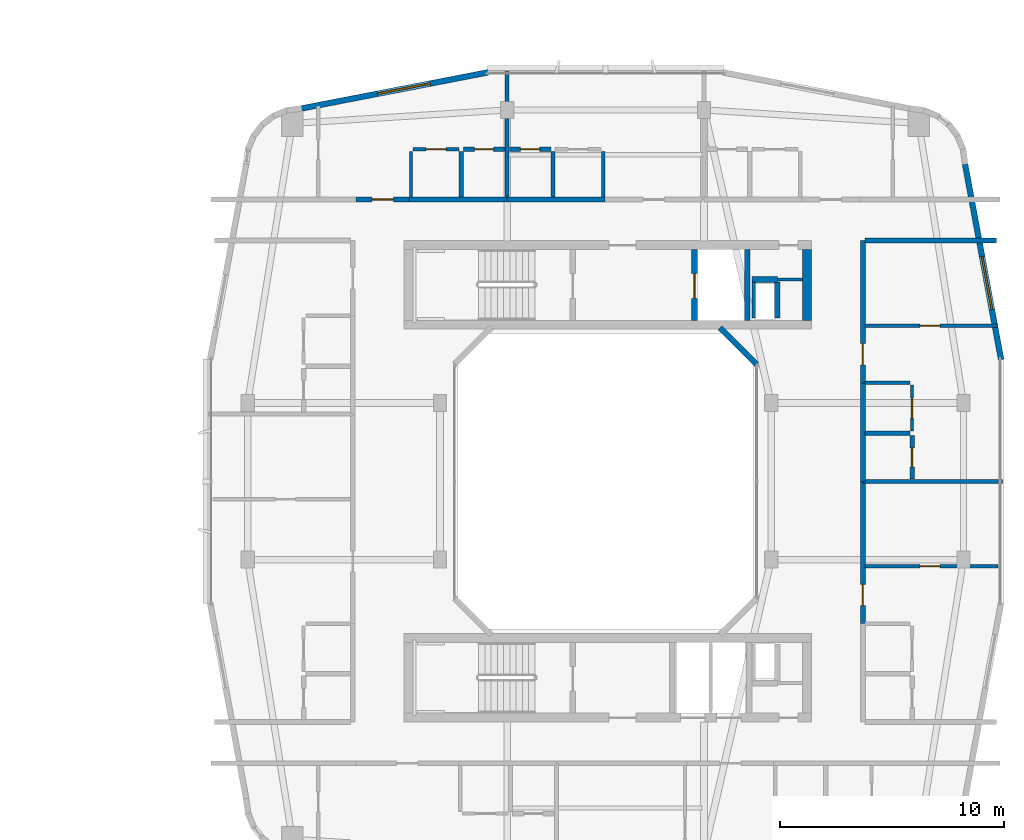
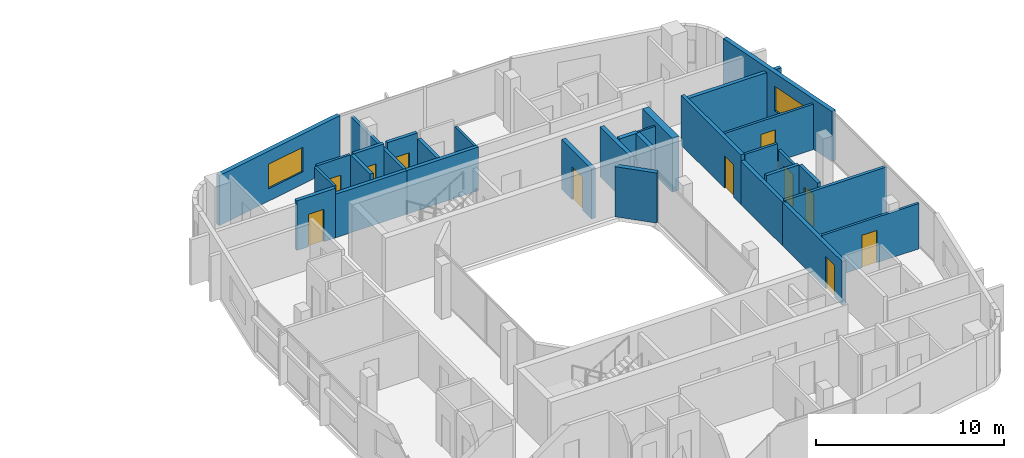
# One storey, part 19 of 26: 32 walls, 11 doors, 2 windows, 13 openings.
"""IFC4 building model written with IfcOpenShell, lengths in metres."""

from ifc_helpers import new_model, si_unit, derived_unit, direction, frame, frame_2d, origin, place, context, subcontext, project, spatial, rectangle, extrude, material, layer, layer_set, type_object, element, fill, save


model = new_model("IFC4")

# Units and contexts
model_context = context("Model", 3, precision=1e-05, world=origin(), true_north=direction((0.0, 1.0)))
body_context = subcontext(model_context, "Body", "Model", "MODEL_VIEW")
ifc_project = project(units=[si_unit("LENGTHUNIT", "METRE"), si_unit("AREAUNIT", "SQUARE_METRE"), si_unit("VOLUMEUNIT", "CUBIC_METRE"), si_unit("PLANEANGLEUNIT", "RADIAN"), si_unit("MASSUNIT", "GRAM", prefix="KILO"), derived_unit("THERMALTRANSMITTANCEUNIT", [(si_unit("POWERUNIT", "WATT"), 1), (si_unit("LENGTHUNIT", "METRE"), -2), (si_unit("THERMODYNAMICTEMPERATUREUNIT", "KELVIN"), -1)])], contexts=[model_context])

# Site, building, storey
site_placement = place(None, origin())
site = spatial("IfcSite", under=ifc_project, at=site_placement, CompositionType="ELEMENT")
building_placement = place(site_placement, origin())
building = spatial("IfcBuilding", under=site, at=building_placement, Name="Kivonza Crest Hotel", CompositionType="ELEMENT")
storey_placement = place(building_placement, frame((0.0, 0.0, 105.5)))
storey = spatial("IfcBuildingStorey", under=building, at=storey_placement, Name="L28", CompositionType="ELEMENT", Elevation=105.5)

# Walls
ifc_material_1 = material(Name="High-density acoustic masonry inter-tenancy wall", Category="masonry")
ifc_layer_1 = layer(ifc_material_1, 0.179931640625)
ifc_layer_set_1 = layer_set([ifc_layer_1], Name="High-density acoustic masonry inter-tenancy wall")
wall_type_1 = type_object("IfcWallType", Name="WL-ACOU-180", PredefinedType="SOLIDWALL", material=ifc_layer_set_1)
wall_1_placement = place(storey_placement, frame((72.60009765625, 37.60009765625, 0.0), z_axis=(0.0, 0.0, 1.0), x_axis=(0.0, 1.0, 0.0)))
element("IfcWall", 1, at=wall_1_placement, inside=storey, type_object=wall_type_1, Name="L28 interior partition WA-L28-T2N-DIV1", PredefinedType="SOLIDWALL", context=body_context, shape_type="SweptSolid", body=[
    extrude(rectangle(XDim=5.739990234375, YDim=0.179931640625, at=frame_2d((2.8701171875, 0.0))), origin(), (0.0, 0.0, 1.0), 2.824951171875),
])
wall_2_placement = place(storey_placement, frame((88.5, 25.0, 0.0), z_axis=(0.0, 0.0, 1.0), x_axis=(1.0, 0.0, 0.0)))
element("IfcWall", 2, at=wall_2_placement, inside=storey, type_object=wall_type_1, Name="L28 interior partition WA-L28-T2E-DIV1", PredefinedType="SOLIDWALL", context=body_context, shape_type="SweptSolid", body=[
    extrude(rectangle(XDim=6.239990234375, YDim=0.179931640625, at=frame_2d((3.1201171875, 0.0))), origin(), (0.0, 0.0, 1.0), 2.945068359375),
])
ifc_material_2 = material(Name="Autoclaved aerated concrete blockwork", Category="masonry")
ifc_layer_2 = layer(ifc_material_2, 0.219970703125)
ifc_layer_set_2 = layer_set([ifc_layer_2], Name="Autoclaved aerated concrete blockwork")
wall_type_2 = type_object("IfcWallType", Name="WL-ACOU-220", PredefinedType="SOLIDWALL", material=ifc_layer_set_2)
wall_3_placement = place(storey_placement, frame((68.219970703125, 37.60009765625, 0.0), z_axis=(0.0, 0.0, 1.0), x_axis=(1.0, 0.0, 0.0)))
element("IfcWall", 3, at=wall_3_placement, inside=storey, type_object=wall_type_2, Name="L28 interior partition WA-L28-A01-RCORR", PredefinedType="SOLIDWALL", context=body_context, shape_type="SweptSolid", body=[
    extrude(rectangle(XDim=4.380126953125, YDim=0.219970703125, at=frame_2d((2.18994140625, 0.0))), origin(), (0.0, 0.0, 1.0), 2.824951171875),
])

# Wall, opening, door
wall_4_placement = place(storey_placement, frame((65.85009765625, 37.60009765625, 0.0), z_axis=(0.0, 0.0, 1.0), x_axis=(1.0, 0.0, 0.0)))
wall_4 = element("IfcWall", 4, at=wall_4_placement, inside=storey, type_object=wall_type_2, Name="L28 interior partition WA-L28-A01-MCORR", PredefinedType="SOLIDWALL", context=body_context, shape_type="SweptSolid", body=[
    extrude(rectangle(XDim=2.369873046875, YDim=0.219970703125, at=frame_2d((1.18505859375, 0.0))), origin(), (0.0, 0.0, 1.0), 3.219970703125),
])
opening_1_placement = place(wall_4_placement, frame((0.7099609375, 0.0, 0.0)))
opening_1 = element("IfcOpeningElement", 5, at=opening_1_placement, cuts=wall_4, Name="Opening DU-60", PredefinedType="OPENING", context=body_context, shape_type="SweptSolid", body=[
    extrude(rectangle(XDim=0.949951171875, YDim=2.10009765625, at=frame_2d((0.47509765625, 1.050048828125))), frame((0.0, 0.1201171875, 0.0), z_axis=(0.0, -1.0, 0.0), x_axis=(1.0, 0.0, 0.0)), (0.0, 0.0, 1.0), 0.239990234375),
])
ifc_material_3 = material(Name="Hardwood timber oak", Category="wood")
door_type_1 = type_object("IfcDoorType", Name="DR-UNIT-950", OperationType="NOTDEFINED", PredefinedType="DOOR", material=ifc_material_3)
door_1_placement = place(opening_1_placement, origin())
door_1 = element("IfcDoor", 6, at=door_1_placement, inside=storey, type_object=door_type_1, Name="L28 A01 apartment entrance fire door", OperationType="SINGLE_SWING_LEFT", OverallHeight=2.10009765625, OverallWidth=0.949951171875, PredefinedType="DOOR", context=body_context, shape_type="SweptSolid", body=[
    extrude(rectangle(XDim=0.949951171875, YDim=2.10009765625, at=frame_2d((0.47509765625, 1.050048828125))), frame((0.0, 0.02490234375, 0.0), z_axis=(0.0, -1.0, 0.0), x_axis=(1.0, 0.0, 0.0)), (0.0, 0.0, 1.0), 0.050048828125),
])
fill(opening_1, door_1)

# Walls
wall_5_placement = place(storey_placement, frame((72.60009765625, 37.60009765625, 0.0), z_axis=(0.0, 0.0, 1.0), x_axis=(1.0, 0.0, 0.0)))
element("IfcWall", 7, at=wall_5_placement, inside=storey, type_object=wall_type_2, Name="L28 interior partition WA-L28-A02-LCORR", PredefinedType="SOLIDWALL", context=body_context, shape_type="SweptSolid", body=[
    extrude(rectangle(XDim=4.3798828125, YDim=0.219970703125, at=frame_2d((2.18994140625, 0.0))), origin(), (0.0, 0.0, 1.0), 2.824951171875),
])
wall_6_placement = place(storey_placement, frame((88.60009765625, 35.760009765625, 0.0), z_axis=(0.0, 0.0, 1.0), x_axis=(1.0, 0.0, 0.0)))
element("IfcWall", 8, at=wall_6_placement, inside=storey, type_object=wall_type_2, Name="L28 interior partition WA-L28-T2E-ENDN", PredefinedType="SOLIDWALL", context=body_context, shape_type="SweptSolid", body=[
    extrude(rectangle(XDim=5.8798828125, YDim=0.219970703125, at=frame_2d((2.93994140625, 0.0))), origin(), (0.0, 0.0, 1.0), 2.945068359375),
])

# Wall, opening, door
wall_7_placement = place(storey_placement, frame((88.5, 18.639892578125, 0.0), z_axis=(0.0, 0.0, 1.0), x_axis=(0.0, 1.0, 0.0)))
wall_7 = element("IfcWall", 9, at=wall_7_placement, inside=storey, type_object=wall_type_2, Name="L28 interior partition WA-L28-A08-MCORR", PredefinedType="SOLIDWALL", context=body_context, shape_type="SweptSolid", body=[
    extrude(rectangle(XDim=6.360107421875, YDim=0.219970703125, at=frame_2d((3.18017578125, 0.0))), origin(), (0.0, 0.0, 1.0), 2.824951171875),
])
opening_2_placement = place(wall_7_placement, frame((0.804931640625, 0.0, 0.0)))
opening_2 = element("IfcOpeningElement", 10, at=opening_2_placement, cuts=wall_7, Name="Opening DU-60", PredefinedType="OPENING", context=body_context, shape_type="SweptSolid", body=[
    extrude(rectangle(XDim=0.949951171875, YDim=2.10009765625, at=frame_2d((0.47509765625, 1.050048828125))), frame((0.0, 0.1201171875, 0.0), z_axis=(0.0, -1.0, 0.0), x_axis=(1.0, 0.0, 0.0)), (0.0, 0.0, 1.0), 0.239990234375),
])
door_2_placement = place(opening_2_placement, frame((0.949951171875, 0.0, 0.0), z_axis=(0.0, 0.0, 1.0), x_axis=(-1.0, 0.0, 0.0)))
door_2 = element("IfcDoor", 11, at=door_2_placement, inside=storey, type_object=door_type_1, Name="L28 A08 apartment entrance fire door", OperationType="SINGLE_SWING_RIGHT", OverallHeight=2.10009765625, OverallWidth=0.949951171875, PredefinedType="DOOR", context=body_context, shape_type="SweptSolid", body=[
    extrude(rectangle(XDim=0.949951171875, YDim=2.10009765625, at=frame_2d((0.47509765625, 1.050048828125))), frame((0.0, 0.02490234375, 0.0), z_axis=(0.0, -1.0, 0.0), x_axis=(1.0, 0.0, 0.0)), (0.0, 0.0, 1.0), 0.050048828125),
])
fill(opening_2, door_2)

# Wall
wall_8_placement = place(storey_placement, frame((88.5, 25.0, 0.0), z_axis=(0.0, 0.0, 1.0), x_axis=(0.0, 1.0, 0.0)))
element("IfcWall", 12, at=wall_8_placement, inside=storey, type_object=wall_type_2, Name="L28 interior partition WA-L28-A09-BCORR", PredefinedType="SOLIDWALL", context=body_context, shape_type="SweptSolid", body=[
    extrude(rectangle(XDim=4.39990234375, YDim=0.219970703125, at=frame_2d((2.199951171875, 0.0))), origin(), (0.0, 0.0, 1.0), 2.824951171875),
])

# Wall, opening, door
wall_9_placement = place(storey_placement, frame((88.5, 29.39990234375, 0.0), z_axis=(0.0, 0.0, 1.0), x_axis=(0.0, 1.0, 0.0)))
wall_9 = element("IfcWall", 13, at=wall_9_placement, inside=storey, type_object=wall_type_2, Name="L28 interior partition WA-L28-A09-MCORR", PredefinedType="SOLIDWALL", context=body_context, shape_type="SweptSolid", body=[
    extrude(rectangle(XDim=6.360107421875, YDim=0.219970703125, at=frame_2d((3.18017578125, 0.0))), origin(), (0.0, 0.0, 1.0), 3.219970703125),
])
opening_3_placement = place(wall_9_placement, frame((0.804931640625, 0.0, 0.0)))
opening_3 = element("IfcOpeningElement", 14, at=opening_3_placement, cuts=wall_9, Name="Opening DU-60", PredefinedType="OPENING", context=body_context, shape_type="SweptSolid", body=[
    extrude(rectangle(XDim=0.949951171875, YDim=2.10009765625, at=frame_2d((0.47509765625, 1.050048828125))), frame((0.0, 0.1201171875, 0.0), z_axis=(0.0, -1.0, 0.0), x_axis=(1.0, 0.0, 0.0)), (0.0, 0.0, 1.0), 0.239990234375),
])
door_3_placement = place(opening_3_placement, frame((0.949951171875, 0.0, 0.0), z_axis=(0.0, 0.0, 1.0), x_axis=(-1.0, 0.0, 0.0)))
door_3 = element("IfcDoor", 15, at=door_3_placement, inside=storey, type_object=door_type_1, Name="L28 A09 apartment entrance fire door", OperationType="SINGLE_SWING_LEFT", OverallHeight=2.10009765625, OverallWidth=0.949951171875, PredefinedType="DOOR", context=body_context, shape_type="SweptSolid", body=[
    extrude(rectangle(XDim=0.949951171875, YDim=2.10009765625, at=frame_2d((0.47509765625, 1.050048828125))), frame((0.0, 0.02490234375, 0.0), z_axis=(0.0, -1.0, 0.0), x_axis=(1.0, 0.0, 0.0)), (0.0, 0.0, 1.0), 0.050048828125),
])
fill(opening_3, door_3)

# Wall
ifc_material_4 = material(Name="Concrete C50/60", Category="concrete")
ifc_layer_3 = layer(ifc_material_4, 0.39990234375)
ifc_layer_set_3 = layer_set([ifc_layer_3], Name="Concrete C50/60")
wall_type_3 = type_object("IfcWallType", Name="WL-CORE-400", PredefinedType="SHEAR", material=ifc_layer_set_3)
wall_10_placement = place(storey_placement, frame((86.0, 32.199951171875, 0.0), z_axis=(0.0, 0.0, 1.0), x_axis=(0.0, 1.0, 0.0)))
element("IfcWall", 16, at=wall_10_placement, inside=storey, type_object=wall_type_3, Name="Core wall T2-N East L28", PredefinedType="SHEAR", context=body_context, shape_type="SweptSolid", body=[
    extrude(rectangle(XDim=3.16015625, YDim=0.39990234375, at=frame_2d((1.580078125, 0.0))), origin(), (0.0, 0.0, 1.0), 3.5),
])

# Wall, opening, window
ifc_material_5 = material(Name="Precast concrete C40/50", Category="concrete")
ifc_layer_4 = layer(ifc_material_5, 0.260009765625)
ifc_layer_set_4 = layer_set([ifc_layer_4], Name="Precast concrete C40/50")
wall_type_4 = type_object("IfcWallType", Name="WL-EXT-260", PredefinedType="STANDARD", material=ifc_layer_set_4)
wall_11_placement = place(storey_placement, frame((94.681884765625, 30.44189453125, 0.0), z_axis=(0.0, 0.0, 1.0), x_axis=(-0.181209963057, 0.983444431215, 0.0)))
wall_11 = element("IfcWall", 17, at=wall_11_placement, inside=storey, type_object=wall_type_4, Name="L28 T2 exterior insulated wall 18", PredefinedType="STANDARD", context=body_context, shape_type="SweptSolid", body=[
    extrude(rectangle(XDim=8.889404296875, YDim=0.260009765625, at=frame_2d((4.44482421875, 0.0))), origin(), (0.0, 0.0, 1.0), 3.25),
])
opening_4_placement = place(wall_11_placement, frame((2.27587890625, 0.0, 0.800048828125)))
opening_4 = element("IfcOpeningElement", 18, at=opening_4_placement, cuts=wall_11, Name="Opening WN-05", PredefinedType="OPENING", context=body_context, shape_type="SweptSolid", body=[
    extrude(rectangle(XDim=2.39990234375, YDim=1.60009765625, at=frame_2d((1.199951171875, 0.800048828125))), frame((0.0, 0.14013671875, 0.0), z_axis=(0.0, -1.0, 0.0), x_axis=(1.0, 0.0, 0.0)), (0.0, 0.0, 1.0), 0.280029296875),
])
ifc_material_6 = material(Name="Thermally broken bronze aluminium and low-E double glazing", Category="aluminium")
window_type = type_object("IfcWindowType", Name="WN-240x160", PartitioningType="TRIPLE_PANEL_VERTICAL", PredefinedType="WINDOW", material=ifc_material_6)
window_1_placement = place(opening_4_placement, origin())
window_1 = element("IfcWindow", 19, at=window_1_placement, inside=storey, type_object=window_type, Name="L28 T2 facade window 18", OverallHeight=1.60009765625, OverallWidth=2.39990234375, PartitioningType="SINGLE_PANEL", PredefinedType="WINDOW", context=body_context, shape_type="SweptSolid", body=[
    extrude(rectangle(XDim=2.39990234375, YDim=1.60009765625, at=frame_2d((1.199951171875, 0.800048828125))), frame((0.0, 0.030029296875, 0.0), z_axis=(0.0, -1.0, 0.0), x_axis=(1.0, 0.0, 0.0)), (0.0, 0.0, 1.0), 0.06005859375),
])
fill(opening_4, window_1)

wall_12_placement = place(storey_placement, frame((71.739013671875, 43.281982421875, 0.0), z_axis=(0.0, 0.0, 1.0), x_axis=(-0.981750199588, -0.190175039396, 0.0)))
wall_12 = element("IfcWall", 20, at=wall_12_placement, inside=storey, type_object=wall_type_4, Name="L28 T2 exterior insulated wall 27", PredefinedType="STANDARD", context=body_context, shape_type="SweptSolid", body=[
    extrude(rectangle(XDim=8.476806640625, YDim=0.260009765625, at=frame_2d((4.23828125, 0.0))), origin(), (0.0, 0.0, 1.0), 3.25),
])
opening_5_placement = place(wall_12_placement, frame((2.623046875, 0.0, 0.800048828125)))
opening_5 = element("IfcOpeningElement", 21, at=opening_5_placement, cuts=wall_12, Name="Opening WN-05", PredefinedType="OPENING", context=body_context, shape_type="SweptSolid", body=[
    extrude(rectangle(XDim=2.39990234375, YDim=1.60009765625, at=frame_2d((1.199951171875, 0.800048828125))), frame((0.0, 0.14013671875, 0.0), z_axis=(0.0, -1.0, 0.0), x_axis=(1.0, 0.0, 0.0)), (0.0, 0.0, 1.0), 0.280029296875),
])
window_2_placement = place(opening_5_placement, origin())
window_2 = element("IfcWindow", 22, at=window_2_placement, inside=storey, type_object=window_type, Name="L28 T2 facade window 27", OverallHeight=1.60009765625, OverallWidth=2.39990234375, PartitioningType="SINGLE_PANEL", PredefinedType="WINDOW", context=body_context, shape_type="SweptSolid", body=[
    extrude(rectangle(XDim=2.39990234375, YDim=1.60009765625, at=frame_2d((1.199951171875, 0.800048828125))), frame((0.0, 0.030029296875, 0.0), z_axis=(0.0, -1.0, 0.0), x_axis=(1.0, 0.0, 0.0)), (0.0, 0.0, 1.0), 0.06005859375),
])
fill(opening_5, window_2)

# Walls
wall_13_placement = place(storey_placement, frame((83.756103515625, 30.22802734375, 0.0), z_axis=(0.0, 0.0, 1.0), x_axis=(-0.707106781187, 0.707106781187, 0.0)))
element("IfcWall", 23, at=wall_13_placement, inside=storey, type_object=wall_type_4, Name="L28 T2 light-well exterior wall 4", PredefinedType="STANDARD", context=body_context, shape_type="SweptSolid", body=[
    extrude(rectangle(XDim=2.310791015625, YDim=0.260009765625, at=frame_2d((1.1552734375, 0.0))), origin(), (0.0, 0.0, 1.0), 3.25),
])
ifc_material_7 = material(Name="Concrete blockwork fire-compartment wall", Category="masonry")
ifc_layer_5 = layer(ifc_material_7, 0.25)
ifc_layer_set_5 = layer_set([ifc_layer_5], Name="Concrete blockwork fire-compartment wall")
wall_type_5 = type_object("IfcWallType", Name="WL-FIRE-250", PredefinedType="SOLIDWALL", material=ifc_layer_set_5)
wall_14_placement = place(storey_placement, frame((84.679931640625, 32.300048828125, 0.0), z_axis=(0.0, 0.0, 1.0), x_axis=(0.0, 1.0, 0.0)))
element("IfcWall", 24, at=wall_14_placement, inside=storey, type_object=wall_type_5, Name="L28 interior partition WA-L28-T2-N-MEPR-E", PredefinedType="SOLIDWALL", context=body_context, shape_type="SweptSolid", body=[
    extrude(rectangle(XDim=1.619873046875, YDim=0.25, at=frame_2d((0.81005859375, 0.0))), origin(), (0.0, 0.0, 1.0), 3.219970703125),
])
wall_15_placement = place(storey_placement, frame((83.550048828125, 34.02001953125, 0.0), z_axis=(0.0, 0.0, 1.0), x_axis=(1.0, 0.0, 0.0)))
element("IfcWall", 25, at=wall_15_placement, inside=storey, type_object=wall_type_5, Name="L28 interior partition WA-L28-T2-N-MEPR-H", PredefinedType="SOLIDWALL", context=body_context, shape_type="SweptSolid", body=[
    extrude(rectangle(XDim=1.1298828125, YDim=0.25, at=frame_2d((0.56494140625, 0.0))), origin(), (0.0, 0.0, 1.0), 3.219970703125),
])
ifc_material_8 = material(Name="Metal-stud gypsum board partition", Category="gypsum")
ifc_layer_6 = layer(ifc_material_8, 0.125)
ifc_layer_set_6 = layer_set([ifc_layer_6], Name="Metal-stud gypsum board partition")
wall_type_6 = type_object("IfcWallType", Name="WL-PART-125", PredefinedType="PARTITIONING", material=ifc_layer_set_6)
wall_16_placement = place(storey_placement, frame((84.679931640625, 34.02001953125, 0.0), z_axis=(0.0, 0.0, 1.0), x_axis=(1.0, 0.0, 0.0)))
element("IfcWall", 26, at=wall_16_placement, inside=storey, type_object=wall_type_6, Name="L28 interior partition WP-L28-T2-N-T2H", PredefinedType="PARTITIONING", context=body_context, shape_type="SweptSolid", body=[
    extrude(rectangle(XDim=1.1201171875, YDim=0.125, at=frame_2d((0.56005859375, 0.0))), origin(), (0.0, 0.0, 1.0), 3.219970703125),
])
ifc_material_9 = material(Name="Twin-stud acoustic gypsum board partition", Category="gypsum")
ifc_layer_7 = layer(ifc_material_9, 0.14990234375)
ifc_layer_set_7 = layer_set([ifc_layer_7], Name="Twin-stud acoustic gypsum board partition")
wall_type_7 = type_object("IfcWallType", Name="WL-PART-150", PredefinedType="PARTITIONING", material=ifc_layer_set_7)
wall_17_placement = place(storey_placement, frame((83.6298828125, 32.300048828125, 0.0), z_axis=(0.0, 0.0, 1.0), x_axis=(0.0, 1.0, 0.0)))
element("IfcWall", 27, at=wall_17_placement, inside=storey, type_object=wall_type_7, Name="L28 interior partition WA-L28-T2-N-MEPR-W", PredefinedType="PARTITIONING", context=body_context, shape_type="SweptSolid", body=[
    extrude(rectangle(XDim=1.619873046875, YDim=0.14990234375, at=frame_2d((0.81005859375, 0.0))), origin(), (0.0, 0.0, 1.0), 2.824951171875),
])
wall_18_placement = place(storey_placement, frame((68.300048828125, 37.699951171875, 0.0), z_axis=(0.0, 0.0, 1.0), x_axis=(0.0, 1.0, 0.0)))
element("IfcWall", 28, at=wall_18_placement, inside=storey, type_object=wall_type_7, Name="L28 interior partition WP-L28-A01-KF", PredefinedType="PARTITIONING", context=body_context, shape_type="SweptSolid", body=[
    extrude(rectangle(XDim=2.050048828125, YDim=0.14990234375, at=frame_2d((1.02490234375, 0.0))), origin(), (0.0, 0.0, 1.0), 3.219970703125),
])

# Wall, opening, door
wall_19_placement = place(storey_placement, frame((68.39990234375, 39.85009765625, 0.0), z_axis=(0.0, 0.0, 1.0), x_axis=(1.0, 0.0, 0.0)))
wall_19 = element("IfcWall", 29, at=wall_19_placement, inside=storey, type_object=wall_type_7, Name="L28 interior partition WP-L28-A01-KSVC", PredefinedType="PARTITIONING", context=body_context, shape_type="SweptSolid", body=[
    extrude(rectangle(XDim=2.050048828125, YDim=0.14990234375, at=frame_2d((1.02490234375, 0.0))), origin(), (0.0, 0.0, 1.0), 3.219970703125),
])
opening_6_placement = place(wall_19_placement, frame((0.574951171875, 0.0, 0.0)))
opening_6 = element("IfcOpeningElement", 30, at=opening_6_placement, cuts=wall_19, Name="Opening DI-90", PredefinedType="OPENING", context=body_context, shape_type="SweptSolid", body=[
    extrude(rectangle(XDim=0.89990234375, YDim=2.10009765625, at=frame_2d((0.449951171875, 1.050048828125))), frame((0.0, 0.0849609375, 0.0), z_axis=(0.0, -1.0, 0.0), x_axis=(1.0, 0.0, 0.0)), (0.0, 0.0, 1.0), 0.169921875),
])
door_type_2 = type_object("IfcDoorType", Name="DR-INT-900", OperationType="NOTDEFINED", PredefinedType="DOOR", material=ifc_material_3)
door_4_placement = place(opening_6_placement, origin())
door_4 = element("IfcDoor", 31, at=door_4_placement, inside=storey, type_object=door_type_2, Name="L28 A01 apartment kitchen door", OperationType="SINGLE_SWING_LEFT", OverallHeight=2.10009765625, OverallWidth=0.89990234375, PredefinedType="DOOR", context=body_context, shape_type="SweptSolid", body=[
    extrude(rectangle(XDim=0.89990234375, YDim=2.10009765625, at=frame_2d((0.449951171875, 1.050048828125))), frame((0.0, 0.02490234375, 0.0), z_axis=(0.0, -1.0, 0.0), x_axis=(1.0, 0.0, 0.0)), (0.0, 0.0, 1.0), 0.050048828125),
])
fill(opening_6, door_4)

# Wall
wall_20_placement = place(storey_placement, frame((76.89990234375, 37.699951171875, 0.0), z_axis=(0.0, 0.0, 1.0), x_axis=(0.0, 1.0, 0.0)))
element("IfcWall", 32, at=wall_20_placement, inside=storey, type_object=wall_type_7, Name="L28 interior partition WP-L28-A02-KF", PredefinedType="PARTITIONING", context=body_context, shape_type="SweptSolid", body=[
    extrude(rectangle(XDim=2.050048828125, YDim=0.14990234375, at=frame_2d((1.02490234375, 0.0))), origin(), (0.0, 0.0, 1.0), 2.824951171875),
])

# Wall, opening, door
wall_21_placement = place(storey_placement, frame((88.60009765625, 21.199951171875, 0.0), z_axis=(0.0, 0.0, 1.0), x_axis=(1.0, 0.0, 0.0)))
wall_21 = element("IfcWall", 33, at=wall_21_placement, inside=storey, type_object=wall_type_7, Name="L28 interior partition WP-L28-A08-BD1", PredefinedType="PARTITIONING", context=body_context, shape_type="SweptSolid", body=[
    extrude(rectangle(XDim=5.93994140625, YDim=0.14990234375, at=frame_2d((2.969970703125, 0.0))), origin(), (0.0, 0.0, 1.0), 2.945068359375),
])
opening_7_placement = place(wall_21_placement, frame((2.449951171875, 0.0, 0.0)))
opening_7 = element("IfcOpeningElement", 34, at=opening_7_placement, cuts=wall_21, Name="Opening DI-90", PredefinedType="OPENING", context=body_context, shape_type="SweptSolid", body=[
    extrude(rectangle(XDim=0.89990234375, YDim=2.10009765625, at=frame_2d((0.449951171875, 1.050048828125))), frame((0.0, 0.0849609375, 0.0), z_axis=(0.0, -1.0, 0.0), x_axis=(1.0, 0.0, 0.0)), (0.0, 0.0, 1.0), 0.169921875),
])
door_5_placement = place(opening_7_placement, origin())
door_5 = element("IfcDoor", 35, at=door_5_placement, inside=storey, type_object=door_type_2, Name="L28 A08 bedroom door", OperationType="SINGLE_SWING_LEFT", OverallHeight=2.10009765625, OverallWidth=0.89990234375, PredefinedType="DOOR", context=body_context, shape_type="SweptSolid", body=[
    extrude(rectangle(XDim=0.89990234375, YDim=2.10009765625, at=frame_2d((0.449951171875, 1.050048828125))), frame((0.0, 0.02490234375, 0.0), z_axis=(0.0, -1.0, 0.0), x_axis=(1.0, 0.0, 0.0)), (0.0, 0.0, 1.0), 0.050048828125),
])
fill(opening_7, door_5)

wall_22_placement = place(storey_placement, frame((88.60009765625, 31.9599609375, 0.0), z_axis=(0.0, 0.0, 1.0), x_axis=(1.0, 0.0, 0.0)))
wall_22 = element("IfcWall", 36, at=wall_22_placement, inside=storey, type_object=wall_type_7, Name="L28 interior partition WP-L28-A09-BD1", PredefinedType="PARTITIONING", context=body_context, shape_type="SweptSolid", body=[
    extrude(rectangle(XDim=5.93994140625, YDim=0.14990234375, at=frame_2d((2.969970703125, 0.0))), origin(), (0.0, 0.0, 1.0), 2.945068359375),
])
opening_8_placement = place(wall_22_placement, frame((2.449951171875, 0.0, 0.0)))
opening_8 = element("IfcOpeningElement", 37, at=opening_8_placement, cuts=wall_22, Name="Opening DI-90", PredefinedType="OPENING", context=body_context, shape_type="SweptSolid", body=[
    extrude(rectangle(XDim=0.89990234375, YDim=2.10009765625, at=frame_2d((0.449951171875, 1.050048828125))), frame((0.0, 0.0849609375, 0.0), z_axis=(0.0, -1.0, 0.0), x_axis=(1.0, 0.0, 0.0)), (0.0, 0.0, 1.0), 0.169921875),
])
door_6_placement = place(opening_8_placement, origin())
door_6 = element("IfcDoor", 38, at=door_6_placement, inside=storey, type_object=door_type_2, Name="L28 A09 bedroom door", OperationType="SINGLE_SWING_RIGHT", OverallHeight=2.10009765625, OverallWidth=0.89990234375, PredefinedType="DOOR", context=body_context, shape_type="SweptSolid", body=[
    extrude(rectangle(XDim=0.89990234375, YDim=2.10009765625, at=frame_2d((0.449951171875, 1.050048828125))), frame((0.0, 0.02490234375, 0.0), z_axis=(0.0, -1.0, 0.0), x_axis=(1.0, 0.0, 0.0)), (0.0, 0.0, 1.0), 0.050048828125),
])
fill(opening_8, door_6)

# Wall
wall_23_placement = place(storey_placement, frame((88.60009765625, 29.39990234375, 0.0), z_axis=(0.0, 0.0, 1.0), x_axis=(1.0, 0.0, 0.0)))
element("IfcWall", 39, at=wall_23_placement, inside=storey, type_object=wall_type_7, Name="L28 interior partition WP-L28-A09-KF", PredefinedType="PARTITIONING", context=body_context, shape_type="SweptSolid", body=[
    extrude(rectangle(XDim=2.0, YDim=0.14990234375, at=frame_2d((1.0, 0.0))), origin(), (0.0, 0.0, 1.0), 3.219970703125),
])

# Wall, opening, door
wall_24_placement = place(storey_placement, frame((90.699951171875, 27.25, 0.0), z_axis=(0.0, 0.0, 1.0), x_axis=(0.0, 1.0, 0.0)))
wall_24 = element("IfcWall", 40, at=wall_24_placement, inside=storey, type_object=wall_type_7, Name="L28 interior partition WP-L28-A09-KSVC", PredefinedType="PARTITIONING", context=body_context, shape_type="SweptSolid", body=[
    extrude(rectangle(XDim=2.050048828125, YDim=0.14990234375, at=frame_2d((1.02490234375, 0.0))), origin(), (0.0, 0.0, 1.0), 2.824951171875),
])
opening_9_placement = place(wall_24_placement, frame((0.574951171875, 0.0, 0.0)))
opening_9 = element("IfcOpeningElement", 41, at=opening_9_placement, cuts=wall_24, Name="Opening DI-90", PredefinedType="OPENING", context=body_context, shape_type="SweptSolid", body=[
    extrude(rectangle(XDim=0.89990234375, YDim=2.10009765625, at=frame_2d((0.449951171875, 1.050048828125))), frame((0.0, 0.0849609375, 0.0), z_axis=(0.0, -1.0, 0.0), x_axis=(1.0, 0.0, 0.0)), (0.0, 0.0, 1.0), 0.169921875),
])
door_7_placement = place(opening_9_placement, frame((0.89990234375, 0.0, 0.0), z_axis=(0.0, 0.0, 1.0), x_axis=(-1.0, 0.0, 0.0)))
door_7 = element("IfcDoor", 42, at=door_7_placement, inside=storey, type_object=door_type_2, Name="L28 A09 apartment kitchen door", OperationType="SINGLE_SWING_LEFT", OverallHeight=2.10009765625, OverallWidth=0.89990234375, PredefinedType="DOOR", context=body_context, shape_type="SweptSolid", body=[
    extrude(rectangle(XDim=0.89990234375, YDim=2.10009765625, at=frame_2d((0.449951171875, 1.050048828125))), frame((0.0, 0.02490234375, 0.0), z_axis=(0.0, -1.0, 0.0), x_axis=(1.0, 0.0, 0.0)), (0.0, 0.0, 1.0), 0.050048828125),
])
fill(opening_9, door_7)

# Wall
ifc_material_10 = material(Name="Moisture-resistant plumbing chase partition wall", Category="gypsum")
ifc_layer_8 = layer(ifc_material_10, 0.199951171875)
ifc_layer_set_8 = layer_set([ifc_layer_8], Name="Moisture-resistant plumbing chase partition wall")
wall_type_8 = type_object("IfcWallType", Name="WL-PLUMB-200", PredefinedType="PLUMBINGWALL", material=ifc_layer_set_8)
wall_25_placement = place(storey_placement, frame((70.550048828125, 37.699951171875, 0.0), z_axis=(0.0, 0.0, 1.0), x_axis=(0.0, 1.0, 0.0)))
element("IfcWall", 43, at=wall_25_placement, inside=storey, type_object=wall_type_8, Name="L28 interior partition WW-L28-A01-BK", PredefinedType="PLUMBINGWALL", context=body_context, shape_type="SweptSolid", body=[
    extrude(rectangle(XDim=2.050048828125, YDim=0.199951171875, at=frame_2d((1.02490234375, 0.0))), origin(), (0.0, 0.0, 1.0), 3.219970703125),
])

# Wall, opening, door
wall_26_placement = place(storey_placement, frame((70.64990234375, 39.85009765625, 0.0), z_axis=(0.0, 0.0, 1.0), x_axis=(1.0, 0.0, 0.0)))
wall_26 = element("IfcWall", 44, at=wall_26_placement, inside=storey, type_object=wall_type_8, Name="L28 interior partition WW-L28-A01-BSVC", PredefinedType="PLUMBINGWALL", context=body_context, shape_type="SweptSolid", body=[
    extrude(rectangle(XDim=1.85009765625, YDim=0.199951171875, at=frame_2d((0.925048828125, 0.0))), origin(), (0.0, 0.0, 1.0), 3.219970703125),
])
opening_10_placement = place(wall_26_placement, frame((0.5, 0.0, 0.0)))
opening_10 = element("IfcOpeningElement", 45, at=opening_10_placement, cuts=wall_26, Name="Opening DI-85", PredefinedType="OPENING", context=body_context, shape_type="SweptSolid", body=[
    extrude(rectangle(XDim=0.85009765625, YDim=2.10009765625, at=frame_2d((0.425048828125, 1.050048828125))), frame((0.0, 0.10986328125, 0.0), z_axis=(0.0, -1.0, 0.0), x_axis=(1.0, 0.0, 0.0)), (0.0, 0.0, 1.0), 0.219970703125),
])
door_type_3 = type_object("IfcDoorType", Name="DR-INT-850", OperationType="NOTDEFINED", PredefinedType="DOOR", material=ifc_material_3)
door_8_placement = place(opening_10_placement, origin())
door_8 = element("IfcDoor", 46, at=door_8_placement, inside=storey, type_object=door_type_3, Name="L28 A01 apartment bathroom door", OperationType="SINGLE_SWING_RIGHT", OverallHeight=2.10009765625, OverallWidth=0.85009765625, PredefinedType="DOOR", context=body_context, shape_type="SweptSolid", body=[
    extrude(rectangle(XDim=0.85009765625, YDim=2.10009765625, at=frame_2d((0.425048828125, 1.050048828125))), frame((0.0, 0.02490234375, 0.0), z_axis=(0.0, -1.0, 0.0), x_axis=(1.0, 0.0, 0.0)), (0.0, 0.0, 1.0), 0.050048828125),
])
fill(opening_10, door_8)

# Wall
wall_27_placement = place(storey_placement, frame((74.64990234375, 37.699951171875, 0.0), z_axis=(0.0, 0.0, 1.0), x_axis=(0.0, 1.0, 0.0)))
element("IfcWall", 47, at=wall_27_placement, inside=storey, type_object=wall_type_8, Name="L28 interior partition WW-L28-A02-BK", PredefinedType="PLUMBINGWALL", context=body_context, shape_type="SweptSolid", body=[
    extrude(rectangle(XDim=2.050048828125, YDim=0.199951171875, at=frame_2d((1.02490234375, 0.0))), origin(), (0.0, 0.0, 1.0), 2.824951171875),
])

# Wall, opening, door
wall_28_placement = place(storey_placement, frame((72.699951171875, 39.85009765625, 0.0), z_axis=(0.0, 0.0, 1.0), x_axis=(1.0, 0.0, 0.0)))
wall_28 = element("IfcWall", 48, at=wall_28_placement, inside=storey, type_object=wall_type_8, Name="L28 interior partition WW-L28-A02-BSVC", PredefinedType="PLUMBINGWALL", context=body_context, shape_type="SweptSolid", body=[
    extrude(rectangle(XDim=1.85009765625, YDim=0.199951171875, at=frame_2d((0.925048828125, 0.0))), origin(), (0.0, 0.0, 1.0), 3.219970703125),
])
opening_11_placement = place(wall_28_placement, frame((0.5, 0.0, 0.0)))
opening_11 = element("IfcOpeningElement", 49, at=opening_11_placement, cuts=wall_28, Name="Opening DI-85", PredefinedType="OPENING", context=body_context, shape_type="SweptSolid", body=[
    extrude(rectangle(XDim=0.85009765625, YDim=2.10009765625, at=frame_2d((0.425048828125, 1.050048828125))), frame((0.0, 0.10986328125, 0.0), z_axis=(0.0, -1.0, 0.0), x_axis=(1.0, 0.0, 0.0)), (0.0, 0.0, 1.0), 0.219970703125),
])
door_9_placement = place(opening_11_placement, origin())
door_9 = element("IfcDoor", 50, at=door_9_placement, inside=storey, type_object=door_type_3, Name="L28 A02 apartment bathroom door", OperationType="SINGLE_SWING_LEFT", OverallHeight=2.10009765625, OverallWidth=0.85009765625, PredefinedType="DOOR", context=body_context, shape_type="SweptSolid", body=[
    extrude(rectangle(XDim=0.85009765625, YDim=2.10009765625, at=frame_2d((0.425048828125, 1.050048828125))), frame((0.0, 0.02490234375, 0.0), z_axis=(0.0, -1.0, 0.0), x_axis=(1.0, 0.0, 0.0)), (0.0, 0.0, 1.0), 0.050048828125),
])
fill(opening_11, door_9)

# Wall
wall_29_placement = place(storey_placement, frame((88.60009765625, 27.14990234375, 0.0), z_axis=(0.0, 0.0, 1.0), x_axis=(1.0, 0.0, 0.0)))
element("IfcWall", 51, at=wall_29_placement, inside=storey, type_object=wall_type_8, Name="L28 interior partition WW-L28-A09-BK", PredefinedType="PLUMBINGWALL", context=body_context, shape_type="SweptSolid", body=[
    extrude(rectangle(XDim=2.0, YDim=0.199951171875, at=frame_2d((1.0, 0.0))), origin(), (0.0, 0.0, 1.0), 3.219970703125),
])

# Wall, opening, door
wall_30_placement = place(storey_placement, frame((90.699951171875, 25.10009765625, 0.0), z_axis=(0.0, 0.0, 1.0), x_axis=(0.0, 1.0, 0.0)))
wall_30 = element("IfcWall", 52, at=wall_30_placement, inside=storey, type_object=wall_type_8, Name="L28 interior partition WW-L28-A09-BSVC", PredefinedType="PLUMBINGWALL", context=body_context, shape_type="SweptSolid", body=[
    extrude(rectangle(XDim=1.949951171875, YDim=0.199951171875, at=frame_2d((0.97509765625, 0.0))), origin(), (0.0, 0.0, 1.0), 3.219970703125),
])
opening_12_placement = place(wall_30_placement, frame((0.550048828125, 0.0, 0.0)))
opening_12 = element("IfcOpeningElement", 53, at=opening_12_placement, cuts=wall_30, Name="Opening DI-85", PredefinedType="OPENING", context=body_context, shape_type="SweptSolid", body=[
    extrude(rectangle(XDim=0.85009765625, YDim=2.10009765625, at=frame_2d((0.425048828125, 1.050048828125))), frame((0.0, 0.10986328125, 0.0), z_axis=(0.0, -1.0, 0.0), x_axis=(1.0, 0.0, 0.0)), (0.0, 0.0, 1.0), 0.219970703125),
])
door_10_placement = place(opening_12_placement, frame((0.85009765625, 0.0, 0.0), z_axis=(0.0, 0.0, 1.0), x_axis=(-1.0, 0.0, 0.0)))
door_10 = element("IfcDoor", 54, at=door_10_placement, inside=storey, type_object=door_type_3, Name="L28 A09 apartment bathroom door", OperationType="SINGLE_SWING_RIGHT", OverallHeight=2.10009765625, OverallWidth=0.85009765625, PredefinedType="DOOR", context=body_context, shape_type="SweptSolid", body=[
    extrude(rectangle(XDim=0.85009765625, YDim=2.10009765625, at=frame_2d((0.425048828125, 1.050048828125))), frame((0.0, 0.02490234375, 0.0), z_axis=(0.0, -1.0, 0.0), x_axis=(1.0, 0.0, 0.0)), (0.0, 0.0, 1.0), 0.050048828125),
])
fill(opening_12, door_10)

ifc_layer_9 = layer(ifc_material_4, 0.25)
ifc_layer_set_9 = layer_set([ifc_layer_9], Name="Concrete C50/60")
wall_type_9 = type_object("IfcWallType", Name="WL-SHAFT-250", PredefinedType="STANDARD", material=ifc_layer_set_9)
wall_31_placement = place(storey_placement, frame((80.97509765625, 32.199951171875, 0.0), z_axis=(0.0, 0.0, 1.0), x_axis=(0.0, 1.0, 0.0)))
wall_31 = element("IfcWall", 55, at=wall_31_placement, inside=storey, type_object=wall_type_9, Name="Core shaft wall T2-N FFL-W L28", PredefinedType="STANDARD", context=body_context, shape_type="SweptSolid", body=[
    extrude(rectangle(XDim=3.16015625, YDim=0.25, at=frame_2d((1.580078125, 0.0))), origin(), (0.0, 0.0, 1.0), 3.25),
])
opening_13_placement = place(wall_31_placement, frame((0.97998046875, 0.0, 0.0)))
opening_13 = element("IfcOpeningElement", 56, at=opening_13_placement, cuts=wall_31, Name="Opening LD-120", PredefinedType="OPENING", context=body_context, shape_type="SweptSolid", body=[
    extrude(rectangle(XDim=1.10009765625, YDim=2.14990234375, at=frame_2d((0.550048828125, 1.074951171875))), frame((0.0, 0.135009765625, 0.0), z_axis=(0.0, -1.0, 0.0), x_axis=(1.0, 0.0, 0.0)), (0.0, 0.0, 1.0), 0.27001953125),
])
ifc_material_11 = material(Name="Stainless steel", Category="steel")
door_type_4 = type_object("IfcDoorType", Name="DR-LD120-1100", OperationType="NOTDEFINED", PredefinedType="DOOR", material=ifc_material_11)
door_11_placement = place(opening_13_placement, origin())
door_11 = element("IfcDoor", 57, at=door_11_placement, inside=storey, type_object=door_type_4, Name="L28 FFL-T2 firefighting lift sliding landing door", OperationType="DOUBLE_DOOR_SLIDING", OverallHeight=2.14990234375, OverallWidth=1.10009765625, PredefinedType="DOOR", context=body_context, shape_type="SweptSolid", body=[
    extrude(rectangle(XDim=1.10009765625, YDim=2.14990234375, at=frame_2d((0.550048828125, 1.074951171875))), frame((0.0, 0.02490234375, 0.0), z_axis=(0.0, -1.0, 0.0), x_axis=(1.0, 0.0, 0.0)), (0.0, 0.0, 1.0), 0.050048828125),
])
fill(opening_13, door_11)

# Wall
wall_32_placement = place(storey_placement, frame((83.324951171875, 32.199951171875, 0.0), z_axis=(0.0, 0.0, 1.0), x_axis=(0.0, 1.0, 0.0)))
element("IfcWall", 58, at=wall_32_placement, inside=storey, type_object=wall_type_9, Name="Core shaft wall T2-N FFL-E L28", PredefinedType="STANDARD", context=body_context, shape_type="SweptSolid", body=[
    extrude(rectangle(XDim=3.16015625, YDim=0.25, at=frame_2d((1.580078125, 0.0))), origin(), (0.0, 0.0, 1.0), 3.25),
])

save(model, "model.ifc")
